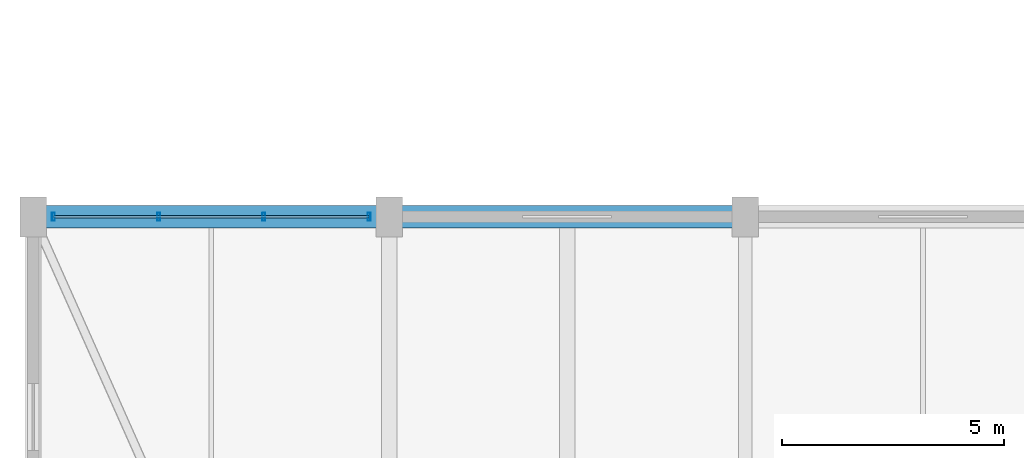
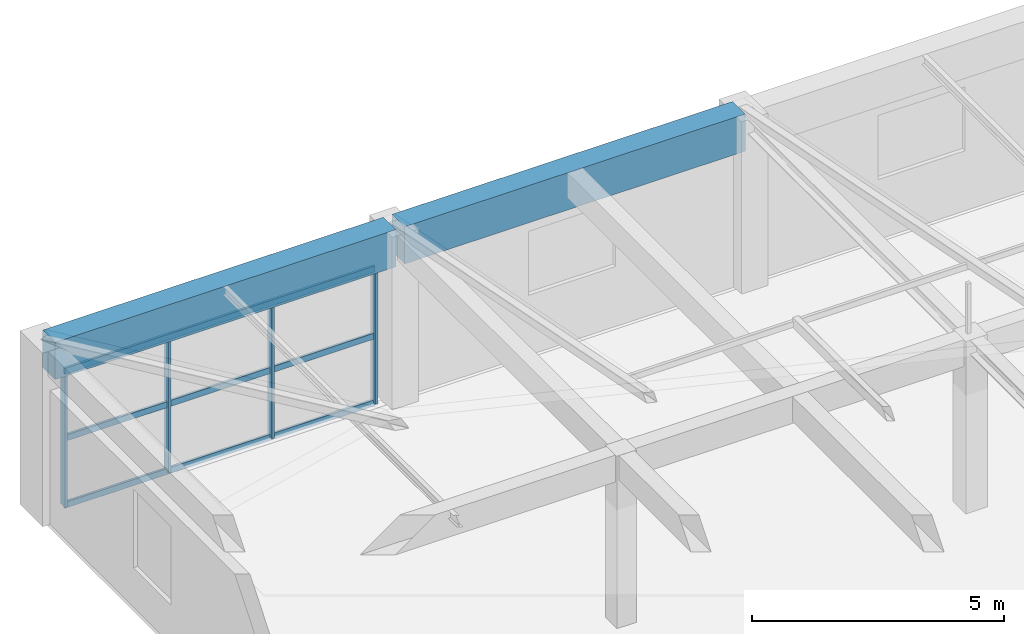
# One storey, part 18 of 65: 7 members, 2 beams, 1 element without a shape of its own.
"""IFC4 building model written with IfcOpenShell, lengths in metres."""

from ifc_helpers import new_model, si_unit, direction, frame, origin, origin_2d, place, context, subcontext, project, spatial, rectangle, hollow_rectangle, extrude, material, material_profile, profile_set, type_object, element, aggregate, save


model = new_model("IFC4")

# Units and contexts
model_context = context("Model", 3, precision=1e-05, world=origin(), true_north=direction((0.0, 1.0)))
body_context = subcontext(model_context, "Body", "Model", "MODEL_VIEW")
ifc_project = project(units=[si_unit("LENGTHUNIT", "METRE"), si_unit("AREAUNIT", "SQUARE_METRE"), si_unit("VOLUMEUNIT", "CUBIC_METRE"), si_unit("PLANEANGLEUNIT", "RADIAN"), si_unit("MASSUNIT", "GRAM", prefix="KILO")], contexts=[model_context])

# Site, building, storey
site_placement = place(None, origin())
site = spatial("IfcSite", under=ifc_project, at=site_placement, CompositionType="ELEMENT")
building_placement = place(site_placement, origin())
building = spatial("IfcBuilding", under=site, at=building_placement, Name="Varnabhumi Central Station", CompositionType="ELEMENT")
storey_placement = place(building_placement, frame((0.0, 0.0, 24.60009765625)))
storey = spatial("IfcBuildingStorey", under=building, at=storey_placement, Name="L05", CompositionType="ELEMENT", Elevation=24.60009765625)

# Beams
ifc_material_1 = material(Name="Concrete M40", Category="concrete")
ifc_material_profile_1 = material_profile(ifc_material_1, rectangle(XDim=0.5, YDim=0.89990234375, at=origin_2d()), Name="Concrete M40", Category="concrete")
ifc_profile_set_1 = profile_set([ifc_material_profile_1], Name="Concrete M40")
beam_type = type_object("IfcBeamType", Name="BM-RC-500x900", PredefinedType="BEAM", material=ifc_profile_set_1)
for number, where, z_axis, x_axis, name in (
    (1, (32.10009765625, 36.0, 3.75), (1.0, 0.0, 0.0), (0.0, 1.0, 0.0), "Beam L05-E:5-6"),
    (2, (40.10009765625, 36.0, 3.75), (1.0, 0.0, 0.0), (0.0, 1.0, 0.0), "Beam L05-E:6-7"),
):
    element("IfcBeam", number, at=place(storey_placement, frame(where, z_axis=z_axis, x_axis=x_axis)), inside=storey, type_object=beam_type, Name=name, PredefinedType="BEAM", context=body_context, shape_type="SweptSolid", body=[
        extrude(rectangle(XDim=0.5, YDim=0.89990234375, at=origin_2d()), origin(), (0.0, 0.0, 1.0), 7.7998046875),
    ])

# Curtain wall, members
ifc_material_2 = material(Name="Anodised aluminium 6063-T6", Category="aluminium")
curtain_wall_type = type_object("IfcCurtainWallType", Name="CW-SPINE-SCREEN-L0", PredefinedType="NOTDEFINED", material=ifc_material_2)
curtain_wall_placement = place(storey_placement, origin())
curtain_wall = element("IfcCurtainWall", 3, at=curtain_wall_placement, inside=storey, type_object=curtain_wall_type, Name="Curtain Wall CW-SS500", PredefinedType="NOTDEFINED")
ifc_material_profile_2 = material_profile(ifc_material_2, hollow_rectangle(XDim=0.06494140625, YDim=0.179931640625, WallThickness=0.00390625, InnerFilletRadius=0.001953125, OuterFilletRadius=0.006103515625, at=origin_2d()), Name="Anodised aluminium 6063-T6", Category="aluminium")
ifc_profile_set_2 = profile_set([ifc_material_profile_2], Name="Anodised aluminium 6063-T6")
member_type_1 = type_object("IfcMemberType", Name="CW-MUL-180", PredefinedType="MULLION", material=ifc_profile_set_2)
member_1_placement = place(storey_placement, frame((32.449951171875, 36.0, 0.0), z_axis=(0.0, 0.0, 1.0), x_axis=(1.0, 0.0, 0.0)))
member_1 = element("IfcMember", 4, at=member_1_placement, type_object=member_type_1, Name="Curtain Wall Mullion CW-SS500-M1", PredefinedType="MULLION", context=body_context, shape_type="SweptSolid", body=[
    extrude(hollow_rectangle(XDim=0.06494140625, YDim=0.179931640625, WallThickness=0.00390625, InnerFilletRadius=0.001953125, OuterFilletRadius=0.006103515625, at=origin_2d()), origin(), (0.0, 0.0, 1.0), 3.239990234375),
])
member_2_placement = place(storey_placement, frame((34.816650390625, 36.0, 0.0), z_axis=(0.0, 0.0, 1.0), x_axis=(1.0, 0.0, 0.0)))
member_2 = element("IfcMember", 5, at=member_2_placement, type_object=member_type_1, Name="Curtain Wall Mullion CW-SS500-M2", PredefinedType="MULLION", context=body_context, shape_type="SweptSolid", body=[
    extrude(hollow_rectangle(XDim=0.06494140625, YDim=0.179931640625, WallThickness=0.00390625, InnerFilletRadius=0.001953125, OuterFilletRadius=0.006103515625, at=origin_2d()), origin(), (0.0, 0.0, 1.0), 3.239990234375),
])
member_3_placement = place(storey_placement, frame((37.183349609375, 36.0, 0.0), z_axis=(0.0, 0.0, 1.0), x_axis=(1.0, 0.0, 0.0)))
member_3 = element("IfcMember", 6, at=member_3_placement, type_object=member_type_1, Name="Curtain Wall Mullion CW-SS500-M3", PredefinedType="MULLION", context=body_context, shape_type="SweptSolid", body=[
    extrude(hollow_rectangle(XDim=0.06494140625, YDim=0.179931640625, WallThickness=0.00390625, InnerFilletRadius=0.001953125, OuterFilletRadius=0.006103515625, at=origin_2d()), origin(), (0.0, 0.0, 1.0), 3.239990234375),
])
member_4_placement = place(storey_placement, frame((39.550048828125, 36.0, 0.0), z_axis=(0.0, 0.0, 1.0), x_axis=(1.0, 0.0, 0.0)))
member_4 = element("IfcMember", 7, at=member_4_placement, type_object=member_type_1, Name="Curtain Wall Mullion CW-SS500-M4", PredefinedType="MULLION", context=body_context, shape_type="SweptSolid", body=[
    extrude(hollow_rectangle(XDim=0.06494140625, YDim=0.179931640625, WallThickness=0.00390625, InnerFilletRadius=0.001953125, OuterFilletRadius=0.006103515625, at=origin_2d()), origin(), (0.0, 0.0, 1.0), 3.239990234375),
])
ifc_material_profile_3 = material_profile(ifc_material_2, hollow_rectangle(XDim=0.06005859375, YDim=0.14990234375, WallThickness=0.00390625, InnerFilletRadius=0.001953125, OuterFilletRadius=0.006103515625, at=origin_2d()), Name="Anodised aluminium 6063-T6", Category="aluminium")
ifc_profile_set_3 = profile_set([ifc_material_profile_3], Name="Anodised aluminium 6063-T6")
member_type_2 = type_object("IfcMemberType", Name="CW-TR-150", PredefinedType="USERDEFINED", material=ifc_profile_set_3)
member_5_placement = place(storey_placement, frame((32.449951171875, 36.0, 0.0), z_axis=(1.0, 0.0, 0.0), x_axis=(0.0, 1.0, 0.0)))
member_5 = element("IfcMember", 8, at=member_5_placement, type_object=member_type_2, Name="Curtain Wall Transom CW-SS500-T1", ObjectType="TRANSOM", PredefinedType="USERDEFINED", context=body_context, shape_type="SweptSolid", body=[
    extrude(hollow_rectangle(XDim=0.06005859375, YDim=0.14990234375, WallThickness=0.00390625, InnerFilletRadius=0.001953125, OuterFilletRadius=0.006103515625, at=origin_2d()), origin(), (0.0, 0.0, 1.0), 7.10009765625),
])
member_6_placement = place(storey_placement, frame((32.449951171875, 36.0, 1.619873046875), z_axis=(1.0, 0.0, 0.0), x_axis=(0.0, 1.0, 0.0)))
member_6 = element("IfcMember", 9, at=member_6_placement, type_object=member_type_2, Name="Curtain Wall Transom CW-SS500-T2", ObjectType="TRANSOM", PredefinedType="USERDEFINED", context=body_context, shape_type="SweptSolid", body=[
    extrude(hollow_rectangle(XDim=0.06005859375, YDim=0.14990234375, WallThickness=0.00390625, InnerFilletRadius=0.001953125, OuterFilletRadius=0.006103515625, at=origin_2d()), origin(), (0.0, 0.0, 1.0), 7.10009765625),
])
member_7_placement = place(storey_placement, frame((32.449951171875, 36.0, 3.239990234375), z_axis=(1.0, 0.0, 0.0), x_axis=(0.0, 1.0, 0.0)))
member_7 = element("IfcMember", 10, at=member_7_placement, type_object=member_type_2, Name="Curtain Wall Transom CW-SS500-T3", ObjectType="TRANSOM", PredefinedType="USERDEFINED", context=body_context, shape_type="SweptSolid", body=[
    extrude(hollow_rectangle(XDim=0.06005859375, YDim=0.14990234375, WallThickness=0.00390625, InnerFilletRadius=0.001953125, OuterFilletRadius=0.006103515625, at=origin_2d()), origin(), (0.0, 0.0, 1.0), 7.10009765625),
])
aggregate(curtain_wall, [member_1, member_2, member_3, member_4, member_5, member_6, member_7])

save(model, "model.ifc")
